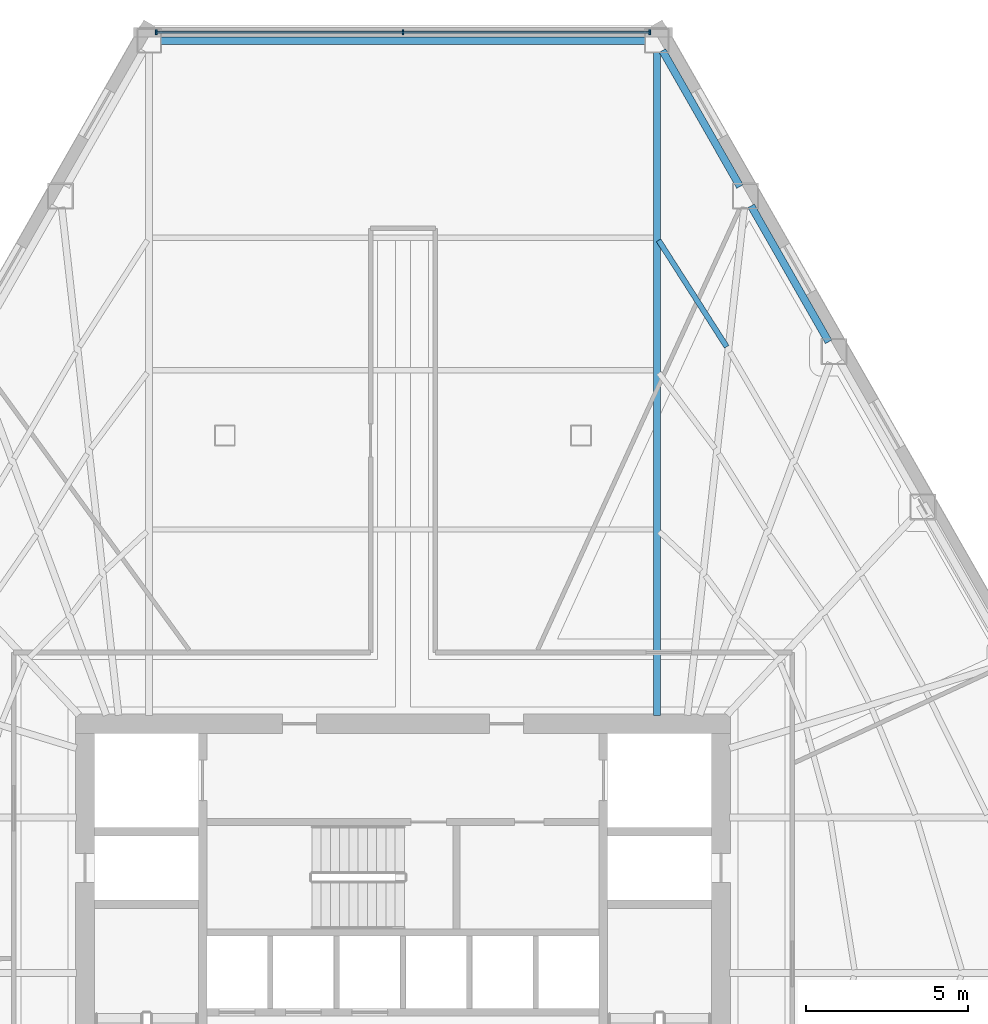
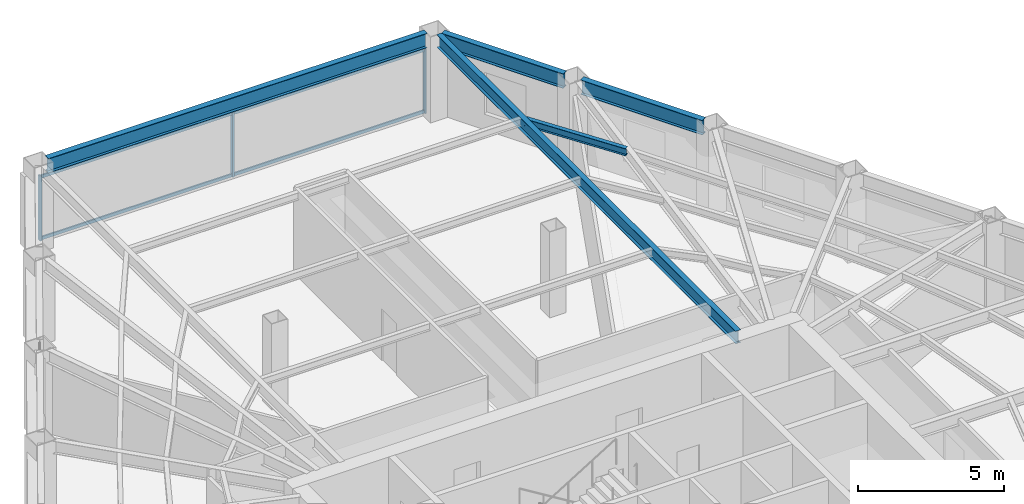
# One storey, part 3 of 12: 5 beams, 5 members, 1 element without a shape of its own.
"""IFC4 building model written with IfcOpenShell, lengths in metres."""

from ifc_helpers import new_model, si_unit, direction, frame, origin, origin_2d, place, context, subcontext, project, spatial, rectangle, i_section, extrude, material, layer, layer_set, material_profile, profile_set, type_object, element, aggregate, save


model = new_model("IFC4")

# Units and contexts
model_context = context("Model", 3, precision=1e-05, world=origin(), true_north=direction((0.0, 1.0)))
body_context = subcontext(model_context, "Body", "Model", "MODEL_VIEW")
ifc_project = project(units=[si_unit("LENGTHUNIT", "METRE"), si_unit("AREAUNIT", "SQUARE_METRE"), si_unit("VOLUMEUNIT", "CUBIC_METRE"), si_unit("PLANEANGLEUNIT", "RADIAN"), si_unit("MASSUNIT", "GRAM", prefix="KILO")], contexts=[model_context])

# Site, building, storey
site_placement = place(None, origin())
site = spatial("IfcSite", under=ifc_project, at=site_placement, CompositionType="ELEMENT")
building_placement = place(site_placement, origin())
building = spatial("IfcBuilding", under=site, at=building_placement, Name="Kavelnor Concourse Tower", CompositionType="ELEMENT")
storey_placement = place(building_placement, frame((0.0, 0.0, 21.39990234375)))
storey = spatial("IfcBuildingStorey", under=building, at=storey_placement, Name="L05", CompositionType="ELEMENT", Elevation=21.39990234375)

# Beams
ifc_material_1 = material(Name="Steel Grade 350", Category="steel")
ifc_material_profile_1 = material_profile(ifc_material_1, i_section(OverallWidth=0.166015625, OverallDepth=0.306884765625, WebThickness=0.006591796875, FlangeThickness=0.01171875, at=origin_2d()), Name="310UB46")
ifc_profile_set_1 = profile_set([ifc_material_profile_1], Name="Steel Grade 350")
beam_type_1 = type_object("IfcBeamType", Name="BM-JOIST-310", PredefinedType="JOIST", material=ifc_profile_set_1)
beam_1_placement = place(storey_placement, frame((47.99462890625, 34.5400390625, 3.4365234375), z_axis=(-0.53861510592, 0.842551937672, 0.0), x_axis=(-0.842551937672, -0.53861510592, 0.0)))
element("IfcBeam", 1, at=beam_1_placement, inside=storey, type_object=beam_type_1, Name="L05 Secondary Composite Joist 14-3", PredefinedType="JOIST", context=body_context, shape_type="SweptSolid", body=[
    extrude(i_section(OverallWidth=0.166015625, OverallDepth=0.306884765625, WebThickness=0.006591796875, FlangeThickness=0.01171875, at=origin_2d()), origin(), (0.0, 0.0, 1.0), 3.90234375),
])
ifc_material_profile_2 = material_profile(ifc_material_1, i_section(OverallWidth=0.208984375, OverallDepth=0.528076171875, WebThickness=0.009521484375, FlangeThickness=0.01318359375, at=origin_2d()), Name="530UB82")
ifc_profile_set_2 = profile_set([ifc_material_profile_2], Name="Steel Grade 350")
beam_type_2 = type_object("IfcBeamType", Name="BM-PRIMARY-530", PredefinedType="BEAM", material=ifc_profile_set_2)
beam_2_placement = place(storey_placement, frame((45.839599609375, 23.159912109375, 3.326171875), z_axis=(0.0, 1.0, 0.0), x_axis=(-1.0, 0.0, 0.0)))
element("IfcBeam", 2, at=beam_2_placement, inside=storey, type_object=beam_type_2, Name="L05 Primary Floor Girder F2-B6", PredefinedType="BEAM", context=body_context, shape_type="SweptSolid", body=[
    extrude(i_section(OverallWidth=0.208984375, OverallDepth=0.528076171875, WebThickness=0.009521484375, FlangeThickness=0.01318359375, at=origin_2d()), origin(), (0.0, 0.0, 1.0), 20.487548828125),
])
ifc_material_profile_3 = material_profile(ifc_material_1, i_section(OverallWidth=0.22900390625, OverallDepth=0.612060546875, WebThickness=0.011962890625, FlangeThickness=0.01953125, at=origin_2d()), Name="610UB125")
ifc_profile_set_3 = profile_set([ifc_material_profile_3], Name="Steel Grade 350")
beam_type_3 = type_object("IfcBeamType", Name="BM-SPANDREL-Z1", PredefinedType="SPANDREL", material=ifc_profile_set_3)
beam_3_placement = place(storey_placement, frame((45.49462890625, 43.9873046875, 3.2841796875), z_axis=(-1.0, 0.0, 0.0), x_axis=(0.0, -1.0, 0.0)))
element("IfcBeam", 3, at=beam_3_placement, inside=storey, type_object=beam_type_3, Name="L05 Chamfer Facet Spandrel Beam C0", PredefinedType="SPANDREL", context=body_context, shape_type="SweptSolid", body=[
    extrude(i_section(OverallWidth=0.22900390625, OverallDepth=0.612060546875, WebThickness=0.011962890625, FlangeThickness=0.01953125, at=origin_2d()), origin(), (0.0, 0.0, 1.0), 14.9892578125),
])
for number, where, z_axis, x_axis, name in (
    (4, (51.14453125, 34.693359375, 3.2841796875), (-0.495736333855, 0.868473078049, 0.0), (-0.868473078049, -0.495736333855, 0.0), "L05 Perimeter Tube Spandrel Beam F2-B4"),
    (5, (48.406494140625, 39.489990234375, 3.2841796875), (-0.495676486845, 0.868507236809, 0.0), (-0.868507236809, -0.495676486845, 0.0), "L05 Perimeter Tube Spandrel Beam F2-B5"),
):
    element("IfcBeam", number, at=place(storey_placement, frame(where, z_axis=z_axis, x_axis=x_axis)), inside=storey, type_object=beam_type_3, Name=name, PredefinedType="SPANDREL", context=body_context, shape_type="SweptSolid", body=[
        extrude(i_section(OverallWidth=0.22900390625, OverallDepth=0.612060546875, WebThickness=0.011962890625, FlangeThickness=0.01953125, at=origin_2d()), origin(), (0.0, 0.0, 1.0), 4.833251953125),
    ])

# Curtain wall, members
ifc_material_2 = material(Name="Anodised aluminium 6063-T6", Category="aluminium")
ifc_layer = layer(ifc_material_2, 0.155029296875, Name="Anodised aluminium 6063-T6")
ifc_layer_set = layer_set([ifc_layer], Name="Anodised aluminium 6063-T6")
curtain_wall_type = type_object("IfcCurtainWallType", Name="CW-CORNER-ACCENT", PredefinedType="NOTDEFINED", material=ifc_layer_set)
curtain_wall_placement = place(storey_placement, origin())
curtain_wall = element("IfcCurtainWall", 6, at=curtain_wall_placement, inside=storey, type_object=curtain_wall_type, Name="L05 Chamfer Corner Glazed Accent C0", PredefinedType="NOTDEFINED")
ifc_material_profile_4 = material_profile(ifc_material_2, rectangle(XDim=0.06005859375, YDim=0.155029296875, at=origin_2d()), Name="AL-MULL 60x155")
ifc_profile_set_4 = profile_set([ifc_material_profile_4], Name="Anodised aluminium 6063-T6")
member_type_1 = type_object("IfcMemberType", Name="CW-CORNER-ACCENT-MULL", PredefinedType="MULLION", material=ifc_profile_set_4)
member_1_placement = place(storey_placement, frame((30.381591796875, 44.25732421875, 0.0), z_axis=(0.0, 0.0, 1.0), x_axis=(1.0, 0.0, 0.0)))
member_1 = element("IfcMember", 7, at=member_1_placement, type_object=member_type_1, Name="L05 Chamfer Corner Glazed Accent C0 Mullion 0", PredefinedType="MULLION", context=body_context, shape_type="SweptSolid", body=[
    extrude(rectangle(XDim=0.06005859375, YDim=0.155029296875, at=origin_2d()), origin(), (0.0, 0.0, 1.0), 2.7001953125),
])
member_2_placement = place(storey_placement, frame((38.0, 44.25732421875, 0.0), z_axis=(0.0, 0.0, 1.0), x_axis=(1.0, 0.0, 0.0)))
member_2 = element("IfcMember", 8, at=member_2_placement, type_object=member_type_1, Name="L05 Chamfer Corner Glazed Accent C0 Mullion 1", PredefinedType="MULLION", context=body_context, shape_type="SweptSolid", body=[
    extrude(rectangle(XDim=0.06005859375, YDim=0.155029296875, at=origin_2d()), origin(), (0.0, 0.0, 1.0), 2.7001953125),
])
member_3_placement = place(storey_placement, frame((45.618408203125, 44.25732421875, 0.0), z_axis=(0.0, 0.0, 1.0), x_axis=(1.0, 0.0, 0.0)))
member_3 = element("IfcMember", 9, at=member_3_placement, type_object=member_type_1, Name="L05 Chamfer Corner Glazed Accent C0 Mullion 2", PredefinedType="MULLION", context=body_context, shape_type="SweptSolid", body=[
    extrude(rectangle(XDim=0.06005859375, YDim=0.155029296875, at=origin_2d()), origin(), (0.0, 0.0, 1.0), 2.7001953125),
])
ifc_material_profile_5 = material_profile(ifc_material_2, rectangle(XDim=0.06005859375, YDim=0.1298828125, at=origin_2d()), Name="AL-TRAN 60x130")
ifc_profile_set_5 = profile_set([ifc_material_profile_5], Name="Anodised aluminium 6063-T6")
member_type_2 = type_object("IfcMemberType", Name="CW-CORNER-ACCENT-TRAN", PredefinedType="USERDEFINED", material=ifc_profile_set_5)
member_4_placement = place(storey_placement, frame((30.381591796875, 44.25732421875, 0.06005859375), z_axis=(1.0, 0.0, 0.0), x_axis=(0.0, 1.0, 0.0)))
member_4 = element("IfcMember", 10, at=member_4_placement, type_object=member_type_2, Name="L05 Chamfer Corner Glazed Accent C0 Transom 0-BOT", ObjectType="TRANSOM", PredefinedType="USERDEFINED", context=body_context, shape_type="SweptSolid", body=[
    extrude(rectangle(XDim=0.06005859375, YDim=0.1298828125, at=origin_2d()), origin(), (0.0, 0.0, 1.0), 15.23681640625),
])
member_5_placement = place(storey_placement, frame((30.381591796875, 44.25732421875, 2.64013671875), z_axis=(1.0, 0.0, 0.0), x_axis=(0.0, 1.0, 0.0)))
member_5 = element("IfcMember", 11, at=member_5_placement, type_object=member_type_2, Name="L05 Chamfer Corner Glazed Accent C0 Transom 0-TOP", ObjectType="TRANSOM", PredefinedType="USERDEFINED", context=body_context, shape_type="SweptSolid", body=[
    extrude(rectangle(XDim=0.06005859375, YDim=0.1298828125, at=origin_2d()), origin(), (0.0, 0.0, 1.0), 15.23681640625),
])
aggregate(curtain_wall, [member_1, member_2, member_3, member_4, member_5])

save(model, "model.ifc")
